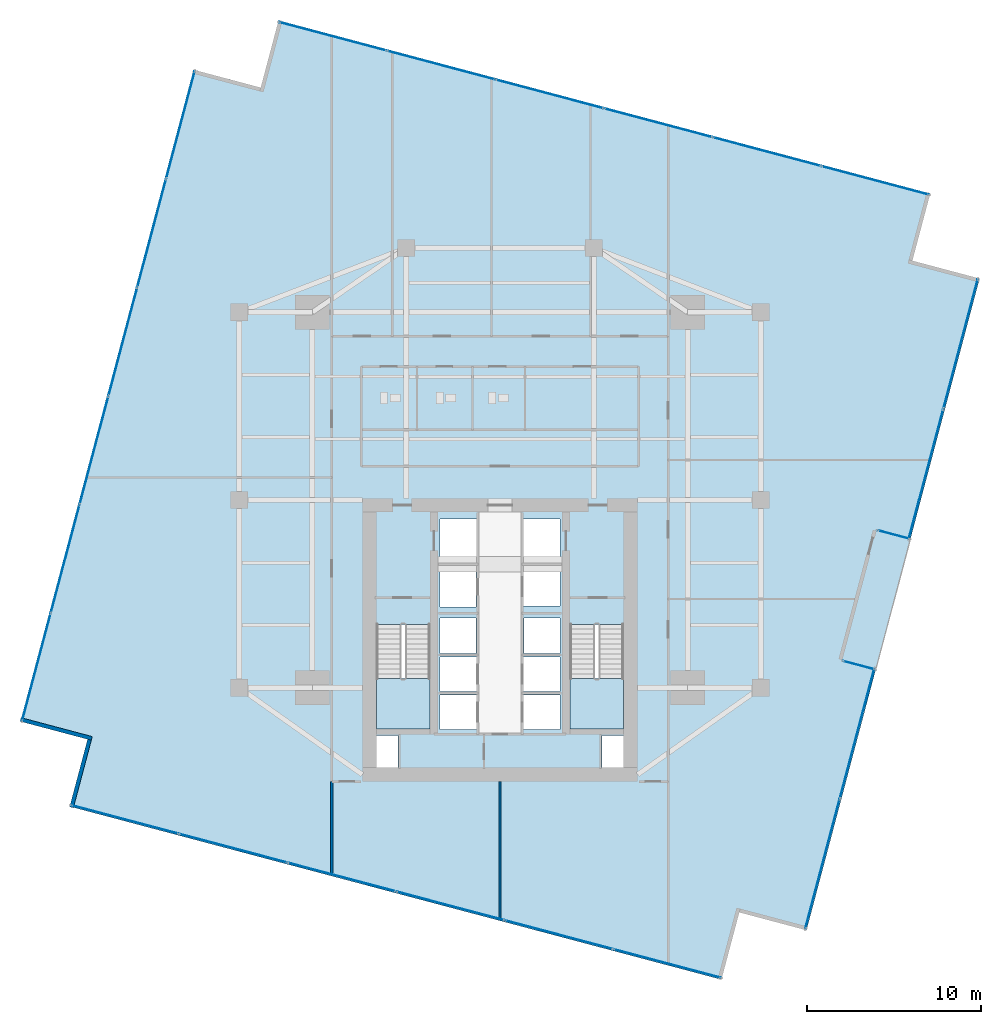
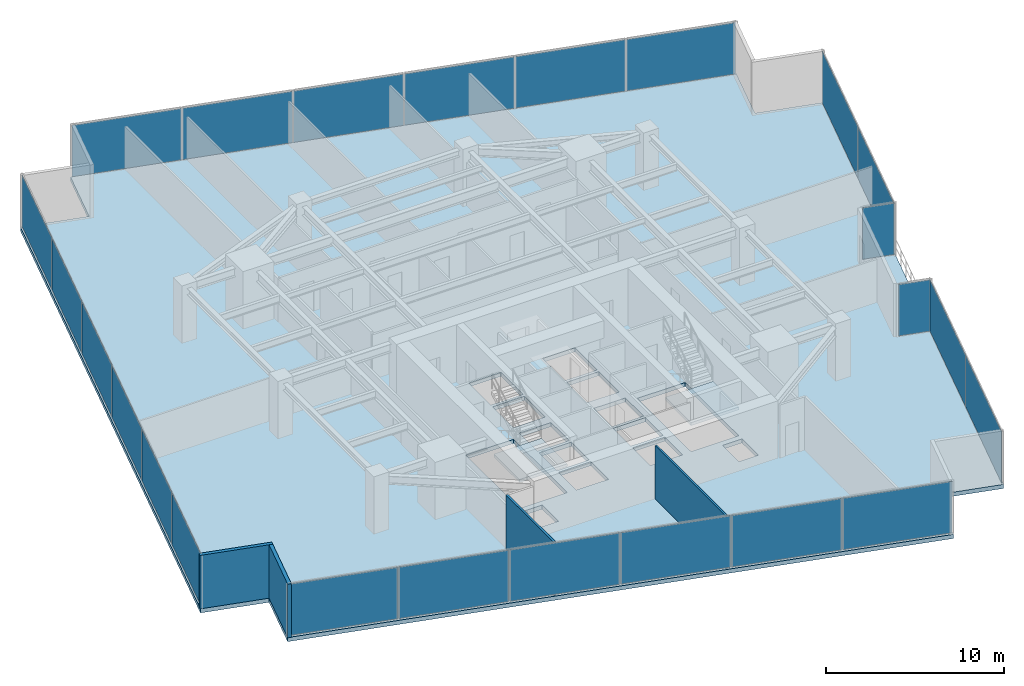
# One storey, part 22 of 27: 24 plates, 4 walls, 3 slabs, 9 elements without a shape of their own.
"""IFC4 building model written with IfcOpenShell, lengths in metres."""

from ifc_helpers import new_model, si_unit, direction, frame, frame_2d, origin, origin_2d, place, context, subcontext, project, spatial, polyline, rectangle, outline, extrude, source, transform, mapped, material, layer, layer_set, type_object, type_shapes, element, aggregate, save


model = new_model("IFC4")

# Units and contexts
model_context = context("Model", 3, precision=1e-05, world=origin(), true_north=direction((0.0, 1.0)))
body_context = subcontext(model_context, "Body", "Model", "MODEL_VIEW")
ifc_project = project(units=[si_unit("LENGTHUNIT", "METRE"), si_unit("AREAUNIT", "SQUARE_METRE"), si_unit("VOLUMEUNIT", "CUBIC_METRE"), si_unit("PLANEANGLEUNIT", "RADIAN"), si_unit("MASSUNIT", "GRAM", prefix="KILO")], contexts=[model_context])

# Site, building, storey
site_placement = place(None, origin())
site = spatial("IfcSite", under=ifc_project, at=site_placement, CompositionType="ELEMENT")
building_placement = place(site_placement, origin())
building = spatial("IfcBuilding", under=site, at=building_placement, Name="Krantzveldt Concourse Tower", CompositionType="ELEMENT")
storey_placement = place(building_placement, frame((0.0, 0.0, 97.949951171875)))
storey = spatial("IfcBuildingStorey", under=building, at=storey_placement, Name="L23", CompositionType="ELEMENT", Elevation=97.949951171875)

# Stair, slab
ifc_material_1 = material(Name="Precast concrete C40/50", Category="concrete")
stair_type = type_object("IfcStairType", Name="STR-CORE-DOGLEG", PredefinedType="HALF_TURN_STAIR", material=ifc_material_1)
stair_1_placement = place(storey_placement, origin())
stair_1 = element("IfcStair", 1, at=stair_1_placement, inside=storey, type_object=stair_type, Name="L23 Protected Escape Stair ST-1", PredefinedType="HALF_TURN_STAIR")
ifc_layer_1 = layer(ifc_material_1, 0.199951171875, Name="Precast concrete C40/50", Category="concrete")
ifc_layer_set_1 = layer_set([ifc_layer_1], Name="Precast concrete C40/50 (SL-LANDING-200)")
slab_type_1 = type_object("IfcSlabType", Name="SL-LANDING-200", PredefinedType="LANDING", material=ifc_layer_set_1)
slab_1_placement = place(storey_placement, frame((0.0, 0.0, 1.775146484375)))
slab_1 = element("IfcSlab", 2, at=slab_1_placement, type_object=slab_type_1, Name="ST-1 landing 1", PredefinedType="LANDING", context=body_context, shape_type="SweptSolid", body=[
    extrude(outline(polyline([(28.8798828125, 16.4150390625), (28.8798828125, 13.52001953125), (31.97998046875, 13.52001953125), (31.97998046875, 16.4150390625), (28.8798828125, 16.4150390625)])), origin(), (0.0, 0.0, 1.0), 0.199951171875),
])
aggregate(stair_1, [slab_1])

stair_2_placement = place(storey_placement, origin())
stair_2 = element("IfcStair", 3, at=stair_2_placement, inside=storey, type_object=stair_type, Name="L23 Protected Escape Stair ST-2", PredefinedType="HALF_TURN_STAIR")
slab_2_placement = place(storey_placement, frame((0.0, 0.0, 1.775146484375)))
slab_2 = element("IfcSlab", 4, at=slab_2_placement, type_object=slab_type_1, Name="ST-2 landing 1", PredefinedType="LANDING", context=body_context, shape_type="SweptSolid", body=[
    extrude(outline(polyline([(40.02001953125, 16.4150390625), (40.02001953125, 13.52001953125), (43.1201171875, 13.52001953125), (43.1201171875, 16.4150390625), (40.02001953125, 16.4150390625)])), origin(), (0.0, 0.0, 1.0), 0.199951171875),
])
aggregate(stair_2, [slab_2])

# Slab
ifc_material_2 = material(Name="Concrete C40/50", Category="concrete")
ifc_layer_2 = layer(ifc_material_2, 0.280029296875, Name="Concrete C40/50", Category="concrete")
ifc_layer_set_2 = layer_set([ifc_layer_2], Name="Concrete C40/50 (SL-SL-TER280)")
slab_type_2 = type_object("IfcSlabType", Name="SL-SL-TER280", PredefinedType="FLOOR", material=ifc_layer_set_2)
slab_3_placement = place(storey_placement, frame((0.0, 0.0, -0.280029296875)))
element("IfcSlab", 5, at=slab_3_placement, inside=storey, type_object=slab_type_2, Name="SL-L23-MAIN", PredefinedType="FLOOR", context=body_context, shape_type="SweptSolid", body=[
    extrude(outline(polyline([(22.230224609375, 50.43017578125), (18.3642578125, 51.45703125), (8.404052734375, 13.957275390625), (12.27001953125, 12.930419921875), (11.2431640625, 9.064453125), (48.742919921875, -0.89599609375), (49.769775390625, 2.969970703125), (53.6357421875, 1.943115234375), (63.595947265625, 39.44287109375), (59.72998046875, 40.4697265625), (60.7568359375, 44.335693359375), (23.257080078125, 54.2958984375), (22.230224609375, 50.43017578125)]), holes=[polyline([(28.8798828125, 19.547607421875), (28.8798828125, 13.52001953125), (31.97998046875, 13.52001953125), (31.97998046875, 19.547607421875), (28.8798828125, 19.547607421875)]), polyline([(40.02001953125, 19.547607421875), (40.02001953125, 13.52001953125), (43.1201171875, 13.52001953125), (43.1201171875, 19.547607421875), (40.02001953125, 19.547607421875)]), polyline([(32.550048828125, 23.10009765625), (34.64990234375, 23.10009765625), (34.64990234375, 25.60009765625), (32.550048828125, 25.60009765625), (32.550048828125, 23.10009765625)]), polyline([(37.35009765625, 23.10009765625), (39.449951171875, 23.10009765625), (39.449951171875, 25.60009765625), (37.35009765625, 25.60009765625), (37.35009765625, 23.10009765625)]), polyline([(37.35009765625, 20.60009765625), (39.449951171875, 20.60009765625), (39.449951171875, 22.89990234375), (37.35009765625, 22.89990234375), (37.35009765625, 20.60009765625)]), polyline([(32.550048828125, 13.47998046875), (34.64990234375, 13.47998046875), (34.64990234375, 15.47998046875), (32.550048828125, 15.47998046875), (32.550048828125, 13.47998046875)]), polyline([(32.550048828125, 15.679931640625), (34.64990234375, 15.679931640625), (34.64990234375, 17.679931640625), (32.550048828125, 17.679931640625), (32.550048828125, 15.679931640625)]), polyline([(37.35009765625, 13.47998046875), (39.449951171875, 13.47998046875), (39.449951171875, 15.47998046875), (37.35009765625, 15.47998046875), (37.35009765625, 13.47998046875)]), polyline([(37.35009765625, 15.679931640625), (39.449951171875, 15.679931640625), (39.449951171875, 17.679931640625), (37.35009765625, 17.679931640625), (37.35009765625, 15.679931640625)]), polyline([(32.550048828125, 20.550048828125), (34.6201171875, 20.550048828125), (34.6201171875, 22.89990234375), (32.550048828125, 22.89990234375), (32.550048828125, 20.550048828125)]), polyline([(32.550048828125, 17.8798828125), (34.6201171875, 17.8798828125), (34.6201171875, 19.919921875), (32.550048828125, 19.919921875), (32.550048828125, 17.8798828125)]), polyline([(37.3798828125, 17.8798828125), (39.449951171875, 17.8798828125), (39.449951171875, 19.919921875), (37.3798828125, 19.919921875), (37.3798828125, 17.8798828125)]), polyline([(28.8798828125, 11.320068359375), (30.139892578125, 11.320068359375), (30.139892578125, 13.159912109375), (28.8798828125, 13.159912109375), (28.8798828125, 11.320068359375)]), polyline([(41.860107421875, 11.320068359375), (43.1201171875, 11.320068359375), (43.1201171875, 13.159912109375), (41.860107421875, 13.159912109375), (41.860107421875, 11.320068359375)])]), origin(), (0.0, 0.0, 1.0), 0.280029296875),
])

# Curtain wall, plate
ifc_material_3 = material(Name="Anodised aluminium 6063-T6", Category="aluminium")
curtain_wall_type_1 = type_object("IfcCurtainWallType", Name="CW6", PredefinedType="USERDEFINED", material=ifc_material_3)
curtain_wall_1_placement = place(storey_placement, origin())
curtain_wall_1 = element("IfcCurtainWall", 6, at=curtain_wall_1_placement, inside=storey, type_object=curtain_wall_type_1, Name="CW-L23-TR08", ObjectType="UNITISED CURTAIN WALL", PredefinedType="USERDEFINED")
ifc_material_4 = material(Name="Bronze-tinted laminated low-E IGU glass", Category="glass")
ifc_layer_3 = layer(ifc_material_4, 0.031982421875, Name="Bronze-tinted laminated low-E IGU glass", Category="glass")
ifc_layer_set_3 = layer_set([ifc_layer_3], Name="Bronze-tinted laminated low-E IGU glass (CW-GLZ-32)")
plate_type = type_object("IfcPlateType", Name="CW-GLZ-32", PredefinedType="CURTAIN_PANEL", material=ifc_layer_set_3)
shared_shape_1 = source(origin(), body_context, "Body", "SweptSolid", [
    extrude(rectangle(XDim=1.860107421875, YDim=0.031982421875, at=origin_2d()), origin(), (0.0, 0.0, 1.0), 3.530029296875),
])
plate_1_placement = place(storey_placement, frame((56.650634765625, 17.18994140625, 0.06982421875), z_axis=(0.0, 0.0, 1.0), x_axis=(-0.96648733669, 0.256714292587, 0.0)))
plate_1 = element("IfcPlate", 7, at=plate_1_placement, type_object=plate_type, Name="CW-TERR panel 1.1", PredefinedType="CURTAIN_PANEL", context=body_context, shape_type="MappedRepresentation", body=[
    mapped(shared_shape_1, transform((0.0, 0.0, 0.0), x_axis=(1.0, 0.0, 0.0), y_axis=(0.0, 1.0, 0.0), z_axis=(0.0, 0.0, 1.0), scale=1.0)),
])
aggregate(curtain_wall_1, [plate_1])

curtain_wall_2_placement = place(storey_placement, origin())
curtain_wall_2 = element("IfcCurtainWall", 8, at=curtain_wall_2_placement, inside=storey, type_object=curtain_wall_type_1, Name="CW-L23-TR10", ObjectType="UNITISED CURTAIN WALL", PredefinedType="USERDEFINED")
plate_2_placement = place(storey_placement, frame((58.64794921875, 24.709228515625, 0.06982421875), z_axis=(0.0, 0.0, 1.0), x_axis=(0.966488577233, -0.256709622099, 0.0)))
plate_2 = element("IfcPlate", 9, at=plate_2_placement, type_object=plate_type, Name="CW-TERR panel 1.1", PredefinedType="CURTAIN_PANEL", context=body_context, shape_type="MappedRepresentation", body=[
    mapped(shared_shape_1, transform((0.0, 0.0, 0.0), x_axis=(1.0, 0.0, 0.0), y_axis=(0.0, 1.0, 0.0), z_axis=(0.0, 0.0, 1.0), scale=1.0)),
])
aggregate(curtain_wall_2, [plate_2])

# Curtain wall, plates
curtain_wall_type_2 = type_object("IfcCurtainWallType", Name="CW2", PredefinedType="USERDEFINED", material=ifc_material_3)
curtain_wall_3_placement = place(storey_placement, origin())
curtain_wall_3 = element("IfcCurtainWall", 10, at=curtain_wall_3_placement, inside=storey, type_object=curtain_wall_type_2, Name="CW-L23-F01", ObjectType="UNITISED CURTAIN WALL", PredefinedType="USERDEFINED")
shared_shape_2 = source(origin(), body_context, "Body", "SweptSolid", [
    extrude(rectangle(XDim=6.361572265625, YDim=0.031982421875, at=origin_2d()), origin(), (0.0, 0.0, 1.0), 3.530029296875),
])
plate_3_placement = place(storey_placement, frame((17.616943359375, 48.2919921875, 0.06982421875), z_axis=(0.0, 0.0, 1.0), x_axis=(-0.256711093648, -0.966488186373, 0.0)))
plate_3 = element("IfcPlate", 11, at=plate_3_placement, type_object=plate_type, Name="CW-Z12 panel 1.1", PredefinedType="CURTAIN_PANEL", context=body_context, shape_type="MappedRepresentation", body=[
    mapped(shared_shape_2, transform((0.0, 0.0, 0.0), x_axis=(1.0, 0.0, 0.0), y_axis=(0.0, 1.0, 0.0), z_axis=(0.0, 0.0, 1.0), scale=1.0)),
])
plate_4_placement = place(storey_placement, frame((9.325439453125, 17.075927734375, 0.06982421875), z_axis=(0.0, 0.0, 1.0), x_axis=(-0.256711093648, -0.966488186373, 0.0)))
plate_4 = element("IfcPlate", 12, at=plate_4_placement, type_object=plate_type, Name="CW-Z12 panel 6.1", PredefinedType="CURTAIN_PANEL", context=body_context, shape_type="MappedRepresentation", body=[
    mapped(shared_shape_2, transform((0.0, 0.0, 0.0), x_axis=(1.0, 0.0, 0.0), y_axis=(0.0, 1.0, 0.0), z_axis=(0.0, 0.0, 1.0), scale=1.0)),
])

curtain_wall_4_placement = place(storey_placement, origin())
curtain_wall_4 = element("IfcCurtainWall", 13, at=curtain_wall_4_placement, inside=storey, type_object=curtain_wall_type_2, Name="CW-L23-F04", ObjectType="UNITISED CURTAIN WALL", PredefinedType="USERDEFINED")
plate_5_placement = place(storey_placement, frame((14.408203125, 8.31689453125, 0.06982421875), z_axis=(0.0, 0.0, 1.0), x_axis=(0.966488186373, -0.256711093648, 0.0)))
plate_5 = element("IfcPlate", 14, at=plate_5_placement, type_object=plate_type, Name="CW-Z12 panel 1.1", PredefinedType="CURTAIN_PANEL", context=body_context, shape_type="MappedRepresentation", body=[
    mapped(shared_shape_2, transform((0.0, 0.0, 0.0), x_axis=(1.0, 0.0, 0.0), y_axis=(0.0, 1.0, 0.0), z_axis=(0.0, 0.0, 1.0), scale=1.0)),
])
plate_6_placement = place(storey_placement, frame((45.6240234375, 0.025390625, 0.06982421875), z_axis=(0.0, 0.0, 1.0), x_axis=(0.966488186373, -0.256711093648, 0.0)))
plate_6 = element("IfcPlate", 15, at=plate_6_placement, type_object=plate_type, Name="CW-Z12 panel 6.1", PredefinedType="CURTAIN_PANEL", context=body_context, shape_type="MappedRepresentation", body=[
    mapped(shared_shape_2, transform((0.0, 0.0, 0.0), x_axis=(1.0, 0.0, 0.0), y_axis=(0.0, 1.0, 0.0), z_axis=(0.0, 0.0, 1.0), scale=1.0)),
])

curtain_wall_5_placement = place(storey_placement, origin())
curtain_wall_5 = element("IfcCurtainWall", 16, at=curtain_wall_5_placement, inside=storey, type_object=curtain_wall_type_2, Name="CW-L23-F14", ObjectType="UNITISED CURTAIN WALL", PredefinedType="USERDEFINED")
plate_7_placement = place(storey_placement, frame((57.591796875, 45.083251953125, 0.06982421875), z_axis=(0.0, 0.0, 1.0), x_axis=(-0.966488186373, 0.256711093648, 0.0)))
plate_7 = element("IfcPlate", 17, at=plate_7_placement, type_object=plate_type, Name="CW-Z12 panel 1.1", PredefinedType="CURTAIN_PANEL", context=body_context, shape_type="MappedRepresentation", body=[
    mapped(shared_shape_2, transform((0.0, 0.0, 0.0), x_axis=(1.0, 0.0, 0.0), y_axis=(0.0, 1.0, 0.0), z_axis=(0.0, 0.0, 1.0), scale=1.0)),
])
plate_8_placement = place(storey_placement, frame((26.3759765625, 53.37451171875, 0.06982421875), z_axis=(0.0, 0.0, 1.0), x_axis=(-0.966488186373, 0.256711093648, 0.0)))
plate_8 = element("IfcPlate", 18, at=plate_8_placement, type_object=plate_type, Name="CW-Z12 panel 6.1", PredefinedType="CURTAIN_PANEL", context=body_context, shape_type="MappedRepresentation", body=[
    mapped(shared_shape_2, transform((0.0, 0.0, 0.0), x_axis=(1.0, 0.0, 0.0), y_axis=(0.0, 1.0, 0.0), z_axis=(0.0, 0.0, 1.0), scale=1.0)),
])

# Plate
shared_shape_3 = source(origin(), body_context, "Body", "SweptSolid", [
    extrude(rectangle(XDim=6.396728515625, YDim=0.031982421875, at=origin_2d()), origin(), (0.0, 0.0, 1.0), 3.530029296875),
])
plate_9_placement = place(storey_placement, frame((15.961181640625, 42.058837890625, 0.06982421875), z_axis=(0.0, 0.0, 1.0), x_axis=(-0.256711093648, -0.966488186373, 0.0)))
plate_9 = element("IfcPlate", 19, at=plate_9_placement, type_object=plate_type, Name="CW-Z12 panel 2.1", PredefinedType="CURTAIN_PANEL", context=body_context, shape_type="MappedRepresentation", body=[
    mapped(shared_shape_3, transform((0.0, 0.0, 0.0), x_axis=(1.0, 0.0, 0.0), y_axis=(0.0, 1.0, 0.0), z_axis=(0.0, 0.0, 1.0), scale=1.0)),
])

plate_10_placement = place(storey_placement, frame((14.30126953125, 35.808837890625, 0.06982421875), z_axis=(0.0, 0.0, 1.0), x_axis=(-0.256711093648, -0.966488186373, 0.0)))
plate_10 = element("IfcPlate", 20, at=plate_10_placement, type_object=plate_type, Name="CW-Z12 panel 3.1", PredefinedType="CURTAIN_PANEL", context=body_context, shape_type="MappedRepresentation", body=[
    mapped(shared_shape_3, transform((0.0, 0.0, 0.0), x_axis=(1.0, 0.0, 0.0), y_axis=(0.0, 1.0, 0.0), z_axis=(0.0, 0.0, 1.0), scale=1.0)),
])

plate_11_placement = place(storey_placement, frame((12.64111328125, 29.55908203125, 0.06982421875), z_axis=(0.0, 0.0, 1.0), x_axis=(-0.256711093648, -0.966488186373, 0.0)))
plate_11 = element("IfcPlate", 21, at=plate_11_placement, type_object=plate_type, Name="CW-Z12 panel 4.1", PredefinedType="CURTAIN_PANEL", context=body_context, shape_type="MappedRepresentation", body=[
    mapped(shared_shape_3, transform((0.0, 0.0, 0.0), x_axis=(1.0, 0.0, 0.0), y_axis=(0.0, 1.0, 0.0), z_axis=(0.0, 0.0, 1.0), scale=1.0)),
])

plate_12_placement = place(storey_placement, frame((10.98095703125, 23.30908203125, 0.06982421875), z_axis=(0.0, 0.0, 1.0), x_axis=(-0.256711093648, -0.966488186373, 0.0)))
plate_12 = element("IfcPlate", 22, at=plate_12_placement, type_object=plate_type, Name="CW-Z12 panel 5.1", PredefinedType="CURTAIN_PANEL", context=body_context, shape_type="MappedRepresentation", body=[
    mapped(shared_shape_3, transform((0.0, 0.0, 0.0), x_axis=(1.0, 0.0, 0.0), y_axis=(0.0, 1.0, 0.0), z_axis=(0.0, 0.0, 1.0), scale=1.0)),
])

aggregate(curtain_wall_3, [plate_3, plate_9, plate_10, plate_11, plate_12, plate_4])

plate_13_placement = place(storey_placement, frame((20.64111328125, 6.6611328125, 0.06982421875), z_axis=(0.0, 0.0, 1.0), x_axis=(0.966488186373, -0.256711093648, 0.0)))
plate_13 = element("IfcPlate", 23, at=plate_13_placement, type_object=plate_type, Name="CW-Z12 panel 2.1", PredefinedType="CURTAIN_PANEL", context=body_context, shape_type="MappedRepresentation", body=[
    mapped(shared_shape_3, transform((0.0, 0.0, 0.0), x_axis=(1.0, 0.0, 0.0), y_axis=(0.0, 1.0, 0.0), z_axis=(0.0, 0.0, 1.0), scale=1.0)),
])

plate_14_placement = place(storey_placement, frame((26.89111328125, 5.001220703125, 0.06982421875), z_axis=(0.0, 0.0, 1.0), x_axis=(0.966488186373, -0.256711093648, 0.0)))
plate_14 = element("IfcPlate", 24, at=plate_14_placement, type_object=plate_type, Name="CW-Z12 panel 3.1", PredefinedType="CURTAIN_PANEL", context=body_context, shape_type="MappedRepresentation", body=[
    mapped(shared_shape_3, transform((0.0, 0.0, 0.0), x_axis=(1.0, 0.0, 0.0), y_axis=(0.0, 1.0, 0.0), z_axis=(0.0, 0.0, 1.0), scale=1.0)),
])

plate_15_placement = place(storey_placement, frame((33.14111328125, 3.341064453125, 0.06982421875), z_axis=(0.0, 0.0, 1.0), x_axis=(0.966488186373, -0.256711093648, 0.0)))
plate_15 = element("IfcPlate", 25, at=plate_15_placement, type_object=plate_type, Name="CW-Z12 panel 4.1", PredefinedType="CURTAIN_PANEL", context=body_context, shape_type="MappedRepresentation", body=[
    mapped(shared_shape_3, transform((0.0, 0.0, 0.0), x_axis=(1.0, 0.0, 0.0), y_axis=(0.0, 1.0, 0.0), z_axis=(0.0, 0.0, 1.0), scale=1.0)),
])

plate_16_placement = place(storey_placement, frame((39.39111328125, 1.68115234375, 0.06982421875), z_axis=(0.0, 0.0, 1.0), x_axis=(0.966488186373, -0.256711093648, 0.0)))
plate_16 = element("IfcPlate", 26, at=plate_16_placement, type_object=plate_type, Name="CW-Z12 panel 5.1", PredefinedType="CURTAIN_PANEL", context=body_context, shape_type="MappedRepresentation", body=[
    mapped(shared_shape_3, transform((0.0, 0.0, 0.0), x_axis=(1.0, 0.0, 0.0), y_axis=(0.0, 1.0, 0.0), z_axis=(0.0, 0.0, 1.0), scale=1.0)),
])

aggregate(curtain_wall_4, [plate_5, plate_13, plate_14, plate_15, plate_16, plate_6])

plate_17_placement = place(storey_placement, frame((51.35888671875, 46.73876953125, 0.06982421875), z_axis=(0.0, 0.0, 1.0), x_axis=(-0.966488186373, 0.256711093648, 0.0)))
plate_17 = element("IfcPlate", 27, at=plate_17_placement, type_object=plate_type, Name="CW-Z12 panel 2.1", PredefinedType="CURTAIN_PANEL", context=body_context, shape_type="MappedRepresentation", body=[
    mapped(shared_shape_3, transform((0.0, 0.0, 0.0), x_axis=(1.0, 0.0, 0.0), y_axis=(0.0, 1.0, 0.0), z_axis=(0.0, 0.0, 1.0), scale=1.0)),
])

plate_18_placement = place(storey_placement, frame((45.10888671875, 48.39892578125, 0.06982421875), z_axis=(0.0, 0.0, 1.0), x_axis=(-0.966488186373, 0.256711093648, 0.0)))
plate_18 = element("IfcPlate", 28, at=plate_18_placement, type_object=plate_type, Name="CW-Z12 panel 3.1", PredefinedType="CURTAIN_PANEL", context=body_context, shape_type="MappedRepresentation", body=[
    mapped(shared_shape_3, transform((0.0, 0.0, 0.0), x_axis=(1.0, 0.0, 0.0), y_axis=(0.0, 1.0, 0.0), z_axis=(0.0, 0.0, 1.0), scale=1.0)),
])

plate_19_placement = place(storey_placement, frame((38.85888671875, 50.058837890625, 0.06982421875), z_axis=(0.0, 0.0, 1.0), x_axis=(-0.966488186373, 0.256711093648, 0.0)))
plate_19 = element("IfcPlate", 29, at=plate_19_placement, type_object=plate_type, Name="CW-Z12 panel 4.1", PredefinedType="CURTAIN_PANEL", context=body_context, shape_type="MappedRepresentation", body=[
    mapped(shared_shape_3, transform((0.0, 0.0, 0.0), x_axis=(1.0, 0.0, 0.0), y_axis=(0.0, 1.0, 0.0), z_axis=(0.0, 0.0, 1.0), scale=1.0)),
])

plate_20_placement = place(storey_placement, frame((32.60888671875, 51.718994140625, 0.06982421875), z_axis=(0.0, 0.0, 1.0), x_axis=(-0.966488186373, 0.256711093648, 0.0)))
plate_20 = element("IfcPlate", 30, at=plate_20_placement, type_object=plate_type, Name="CW-Z12 panel 5.1", PredefinedType="CURTAIN_PANEL", context=body_context, shape_type="MappedRepresentation", body=[
    mapped(shared_shape_3, transform((0.0, 0.0, 0.0), x_axis=(1.0, 0.0, 0.0), y_axis=(0.0, 1.0, 0.0), z_axis=(0.0, 0.0, 1.0), scale=1.0)),
])

aggregate(curtain_wall_5, [plate_7, plate_17, plate_18, plate_19, plate_20, plate_8])

# Curtain wall, plates
curtain_wall_6_placement = place(storey_placement, origin())
curtain_wall_6 = element("IfcCurtainWall", 31, at=curtain_wall_6_placement, inside=storey, type_object=curtain_wall_type_2, Name="CW-L23-F07", ObjectType="UNITISED CURTAIN WALL", PredefinedType="USERDEFINED")
shared_shape_4 = source(origin(), body_context, "Body", "SweptSolid", [
    extrude(rectangle(XDim=7.695068359375, YDim=0.031982421875, at=origin_2d()), origin(), (0.0, 0.0, 1.0), 3.530029296875),
])
type_shapes(plate_type, [shared_shape_1, shared_shape_2, shared_shape_3, shared_shape_4])
plate_21_placement = place(storey_placement, frame((54.55419921875, 5.75244140625, 0.06982421875), z_axis=(0.0, 0.0, 1.0), x_axis=(0.256711001141, 0.966488210944, 0.0)))
plate_21 = element("IfcPlate", 32, at=plate_21_placement, type_object=plate_type, Name="CW-Z12 panel 1.1", PredefinedType="CURTAIN_PANEL", context=body_context, shape_type="MappedRepresentation", body=[
    mapped(shared_shape_4, transform((0.0, 0.0, 0.0), x_axis=(1.0, 0.0, 0.0), y_axis=(0.0, 1.0, 0.0), z_axis=(0.0, 0.0, 1.0), scale=1.0)),
])
plate_22_placement = place(storey_placement, frame((56.547607421875, 13.257080078125, 0.06982421875), z_axis=(0.0, 0.0, 1.0), x_axis=(0.256711001141, 0.966488210944, 0.0)))
plate_22 = element("IfcPlate", 33, at=plate_22_placement, type_object=plate_type, Name="CW-Z12 panel 2.1", PredefinedType="CURTAIN_PANEL", context=body_context, shape_type="MappedRepresentation", body=[
    mapped(shared_shape_4, transform((0.0, 0.0, 0.0), x_axis=(1.0, 0.0, 0.0), y_axis=(0.0, 1.0, 0.0), z_axis=(0.0, 0.0, 1.0), scale=1.0)),
])
aggregate(curtain_wall_6, [plate_21, plate_22])

curtain_wall_7_placement = place(storey_placement, origin())
curtain_wall_7 = element("IfcCurtainWall", 34, at=curtain_wall_7_placement, inside=storey, type_object=curtain_wall_type_2, Name="CW-L23-F11", ObjectType="UNITISED CURTAIN WALL", PredefinedType="USERDEFINED")
plate_23_placement = place(storey_placement, frame((60.510009765625, 28.175048828125, 0.06982421875), z_axis=(0.0, 0.0, 1.0), x_axis=(0.256711001141, 0.966488210944, 0.0)))
plate_23 = element("IfcPlate", 35, at=plate_23_placement, type_object=plate_type, Name="CW-Z12 panel 1.1", PredefinedType="CURTAIN_PANEL", context=body_context, shape_type="MappedRepresentation", body=[
    mapped(shared_shape_4, transform((0.0, 0.0, 0.0), x_axis=(1.0, 0.0, 0.0), y_axis=(0.0, 1.0, 0.0), z_axis=(0.0, 0.0, 1.0), scale=1.0)),
])
plate_24_placement = place(storey_placement, frame((62.50341796875, 35.6796875, 0.06982421875), z_axis=(0.0, 0.0, 1.0), x_axis=(0.256711001141, 0.966488210944, 0.0)))
plate_24 = element("IfcPlate", 36, at=plate_24_placement, type_object=plate_type, Name="CW-Z12 panel 2.1", PredefinedType="CURTAIN_PANEL", context=body_context, shape_type="MappedRepresentation", body=[
    mapped(shared_shape_4, transform((0.0, 0.0, 0.0), x_axis=(1.0, 0.0, 0.0), y_axis=(0.0, 1.0, 0.0), z_axis=(0.0, 0.0, 1.0), scale=1.0)),
])
aggregate(curtain_wall_7, [plate_23, plate_24])

# Walls
ifc_layer_4 = layer(ifc_material_3, 0.219970703125, Name="Anodised aluminium 6063-T6", Category="aluminium")
ifc_layer_set_4 = layer_set([ifc_layer_4], Name="Anodised aluminium 6063-T6 (WL-EXT-NOTCH220)")
wall_type_1 = type_object("IfcWallType", Name="WL-EXT-NOTCH220", PredefinedType="ELEMENTEDWALL", material=ifc_layer_set_4)
wall_1_placement = place(storey_placement, frame((8.407958984375, 14.06982421875, 0.0), z_axis=(0.0, 0.0, 1.0), x_axis=(0.966496943173, -0.256678123022, 0.0)))
element("IfcWall", 37, at=wall_1_placement, inside=storey, type_object=wall_type_1, Name="EW-L23-NCH02", PredefinedType="ELEMENTEDWALL", context=body_context, shape_type="SweptSolid", body=[
    extrude(rectangle(XDim=4.2451171875, YDim=0.219970703125, at=frame_2d((2.12255859375, 0.0))), origin(), (0.0, 0.0, 1.0), 3.670166015625),
])
wall_2_placement = place(storey_placement, frame((12.376220703125, 12.902099609375, 0.0), z_axis=(0.0, 0.0, 1.0), x_axis=(-0.256696053144, -0.966492181189, 0.0)))
element("IfcWall", 38, at=wall_2_placement, inside=storey, type_object=wall_type_1, Name="EW-L23-NCH03", PredefinedType="ELEMENTEDWALL", context=body_context, shape_type="SweptSolid", body=[
    extrude(rectangle(XDim=4.02490234375, YDim=0.219970703125, at=frame_2d((2.012451171875, 0.0))), origin(), (0.0, 0.0, 1.0), 3.670166015625),
])
ifc_material_5 = material(Name="Fire-rated gypsum plasterboard on steel stud", Category="steel")
ifc_layer_5 = layer(ifc_material_5, 0.1201171875, Name="Fire-rated gypsum plasterboard on steel stud", Category="steel")
ifc_layer_set_5 = layer_set([ifc_layer_5], Name="Fire-rated gypsum plasterboard on steel stud (WL-PART-120)")
wall_type_2 = type_object("IfcWallType", Name="WL-PART-120", PredefinedType="PARTITIONING", material=ifc_layer_set_5)
wall_3_placement = place(storey_placement, frame((36.0, 2.581787109375, 0.0), z_axis=(0.0, 0.0, 1.0), x_axis=(0.0, 1.0, 0.0)))
element("IfcWall", 39, at=wall_3_placement, inside=storey, type_object=wall_type_2, Name="WP-L23-SMD", PredefinedType="PARTITIONING", context=body_context, shape_type="SweptSolid", body=[
    extrude(rectangle(XDim=7.918212890625, YDim=0.1201171875, at=frame_2d((3.958984375, 0.0))), origin(), (0.0, 0.0, 1.0), 3.670166015625),
])
ifc_layer_6 = layer(ifc_material_5, 0.139892578125, Name="Fire-rated gypsum plasterboard on steel stud", Category="steel")
ifc_layer_set_6 = layer_set([ifc_layer_6], Name="Fire-rated gypsum plasterboard on steel stud (WL-PART-140)")
wall_type_3 = type_object("IfcWallType", Name="WL-PART-140", PredefinedType="PARTITIONING", material=ifc_layer_set_6)
wall_4_placement = place(storey_placement, frame((26.320068359375, 5.15283203125, 0.0), z_axis=(0.0, 0.0, 1.0), x_axis=(0.0, 1.0, 0.0)))
element("IfcWall", 40, at=wall_4_placement, inside=storey, type_object=wall_type_3, Name="WP-L23-SWL", PredefinedType="PARTITIONING", context=body_context, shape_type="SweptSolid", body=[
    extrude(rectangle(XDim=5.34716796875, YDim=0.139892578125, at=frame_2d((2.673583984375, 0.0))), origin(), (0.0, 0.0, 1.0), 3.670166015625),
])

save(model, "model.ifc")
